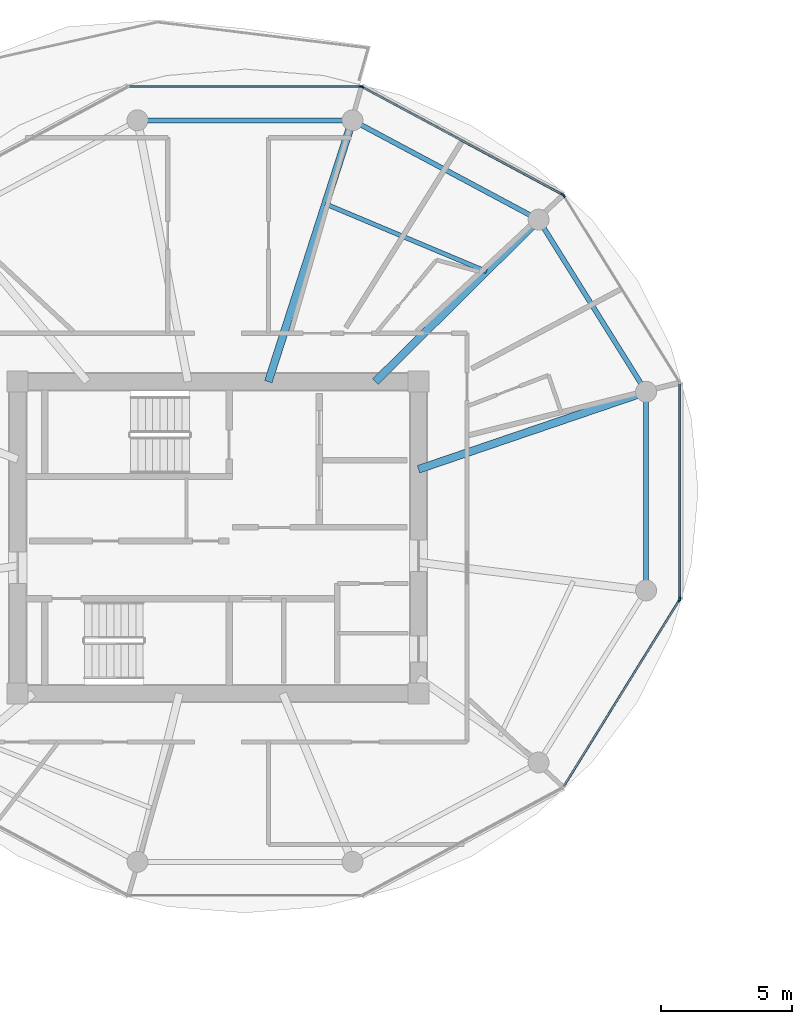
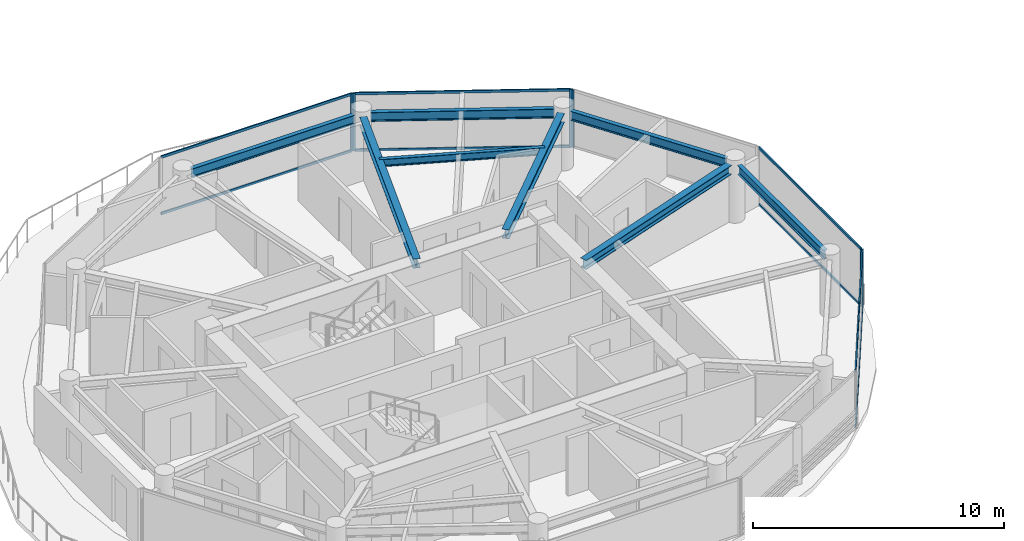
# One storey, part 5 of 22: 14 members, 8 beams, 5 elements without a shape of their own.
"""IFC4 building model written with IfcOpenShell, lengths in metres."""

import ifcopenshell
import ifcopenshell.guid

model = None  # the IFC model being written
_history = None  # IfcOwnerHistory: only IFC2X3 demands one
_inside = {}  # id of a spatial element -> (the spatial element, [elements in it])
_under = {}  # id of a project, library or spatial element -> (it, [spatial elements below it])
_declared = {}  # id of a project -> (the project, [libraries it declares])
_typed = {}  # id of a type object -> (the type object, [elements of that type])
_made_of = {}  # id of a material, layer set ... -> (it, [elements and type objects made of it])


def new_model(schema):
    """Start an empty IFC model of exactly this schema.

    Asked for "IFC4X3", IfcOpenShell would pick the latest addendum, in which some entities
    have other attributes; the version numbers below select the first issue.
    IFC2X3 requires an IfcOwnerHistory on every rooted entity: one is made here for all.
    """
    global model, _history
    if schema == "IFC4X3":
        model = ifcopenshell.file(schema_version=(4, 3, 0, 0))
    else:
        model = ifcopenshell.file(schema=schema)
    _inside.clear()
    _under.clear()
    _declared.clear()
    _typed.clear()
    _made_of.clear()
    _history = None
    if model.schema == "IFC2X3":
        org = make("IfcOrganization", Name="unknown")
        user = make(
            "IfcPersonAndOrganization",
            ThePerson=make("IfcPerson", FamilyName="unknown"),
            TheOrganization=org,
        )
        app = make(
            "IfcApplication",
            ApplicationDeveloper=org,
            Version="unknown",
            ApplicationFullName="unknown",
            ApplicationIdentifier="unknown",
        )
        _history = make(
            "IfcOwnerHistory",
            OwningUser=user,
            OwningApplication=app,
            ChangeAction="ADDED",
            CreationDate=0,
        )
    return model


def make(cls, **values):
    """One entity of the class cls with the attributes given. An attribute that is None is left unset."""
    return model.create_entity(
        cls, **{name: value for name, value in values.items() if value is not None}
    )


def rooted(cls, **values):
    """An entity with a GlobalId (a new one), such as an element, a storey or a relation."""
    return make(cls, GlobalId=ifcopenshell.guid.new(), OwnerHistory=_history, **values)


def si_unit(unit_type, name, prefix=None):
    """IfcSIUnit, for example si_unit("LENGTHUNIT", "METRE", prefix="MILLI")."""
    return make("IfcSIUnit", UnitType=unit_type, Prefix=prefix, Name=name)


def assignment(units):
    """IfcUnitAssignment: the units of a project."""
    return None if units is None else make("IfcUnitAssignment", Units=units)


def point(xyz):
    """IfcCartesianPoint."""
    return None if xyz is None else make("IfcCartesianPoint", Coordinates=xyz)


def direction(xyz):
    """IfcDirection."""
    return None if xyz is None else make("IfcDirection", DirectionRatios=xyz)


def frame(location, z_axis=None, x_axis=None):
    """IfcAxis2Placement3D, a coordinate frame: its origin and axes. An axis left out is left unset."""
    return make(
        "IfcAxis2Placement3D",
        Location=point(location),
        Axis=direction(z_axis),
        RefDirection=direction(x_axis),
    )


def frame_2d(location, x_axis=None):
    """IfcAxis2Placement2D, a coordinate frame in the plane: its origin and x axis."""
    return make(
        "IfcAxis2Placement2D", Location=point(location), RefDirection=direction(x_axis)
    )


def origin():
    """The frame at (0, 0, 0) with its axes left unset."""
    return frame((0.0, 0.0, 0.0))


def origin_2d():
    """The frame at (0, 0) in the plane with its x axis left unset."""
    return frame_2d((0.0, 0.0))


def place(relative_to, where):
    """IfcLocalPlacement: puts the frame where relative to a parent placement (None: the world)."""
    return make(
        "IfcLocalPlacement", PlacementRelTo=relative_to, RelativePlacement=where
    )


def context(
    kind, dimensions, precision=None, world=None, true_north=None, identifier=None
):
    """IfcGeometricRepresentationContext, for example the 3D "Model" context."""
    return make(
        "IfcGeometricRepresentationContext",
        ContextIdentifier=identifier,
        ContextType=kind,
        CoordinateSpaceDimension=dimensions,
        Precision=precision,
        WorldCoordinateSystem=world,
        TrueNorth=true_north,
    )


def subcontext(parent, identifier, kind, view, scale=None):
    """IfcGeometricRepresentationSubContext, for example "Body" below "Model"."""
    return make(
        "IfcGeometricRepresentationSubContext",
        ContextIdentifier=identifier,
        ContextType=kind,
        ParentContext=parent,
        TargetScale=scale,
        TargetView=view,
    )


def project(units=None, contexts=None):
    """IfcProject with its units and contexts."""
    return rooted(
        "IfcProject",
        Name="project",
        RepresentationContexts=contexts,
        UnitsInContext=assignment(units),
    )


def spatial(cls, under=None, at=None, **own):
    """A site, building, storey or space (cls), placed at a placement, below another one or the project."""
    s = rooted(cls, ObjectPlacement=at, **own)
    if under is not None:
        _under.setdefault(under.id(), (under, []))[1].append(s)
    return s


def profile(cls, at=None, kind="AREA", **sizes):
    """A parametric profile (cls). Its sizes go by their IFC names, for example OverallWidth=200.0."""
    return make(cls, ProfileType=kind, Position=at, **sizes)


def rectangle(**sizes):
    """IfcRectangleProfileDef."""
    return profile("IfcRectangleProfileDef", **sizes)


def i_section(**sizes):
    """IfcIShapeProfileDef."""
    return profile("IfcIShapeProfileDef", **sizes)


def extrude(swept, where, along, depth):
    """IfcExtrudedAreaSolid: the profile swept, set in the frame where, extruded along a direction by depth."""
    return make(
        "IfcExtrudedAreaSolid",
        SweptArea=swept,
        Position=where,
        ExtrudedDirection=direction(along),
        Depth=depth,
    )


def shape(context_of_items, identifier, shape_type, items):
    """IfcShapeRepresentation: the items that make up one representation, for example the "Body"."""
    return make(
        "IfcShapeRepresentation",
        ContextOfItems=context_of_items,
        RepresentationIdentifier=identifier,
        RepresentationType=shape_type,
        Items=items,
    )


def source(mapping_origin, context_of_items, identifier, shape_type, items):
    """IfcRepresentationMap: a shape defined once, which mapped items show again and again."""
    return make(
        "IfcRepresentationMap",
        MappingOrigin=mapping_origin,
        MappedRepresentation=shape(context_of_items, identifier, shape_type, items),
    )


def transform(
    local_origin,
    x_axis=None,
    y_axis=None,
    z_axis=None,
    scale=None,
    scale2=None,
    scale3=None,
    uniform=True,
):
    """IfcCartesianTransformationOperator3D, or its non-uniform kind. x_axis, y_axis, z_axis: its Axis1, 2, 3."""
    if uniform:
        return make(
            "IfcCartesianTransformationOperator3D",
            Axis1=direction(x_axis),
            Axis2=direction(y_axis),
            LocalOrigin=point(local_origin),
            Scale=scale,
            Axis3=direction(z_axis),
        )
    return make(
        "IfcCartesianTransformationOperator3DnonUniform",
        Axis1=direction(x_axis),
        Axis2=direction(y_axis),
        LocalOrigin=point(local_origin),
        Scale=scale,
        Axis3=direction(z_axis),
        Scale2=scale2,
        Scale3=scale3,
    )


def mapped(mapping_source, mapping_target):
    """IfcMappedItem: shows the shape of a source again, moved by a transform."""
    return make(
        "IfcMappedItem", MappingSource=mapping_source, MappingTarget=mapping_target
    )


def material(Name=None, Category=None):
    """IfcMaterial."""
    return make("IfcMaterial", Name=Name, Category=Category)


def layer(
    of_material, thickness, ventilated=None, Name=None, Category=None, Priority=None
):
    """IfcMaterialLayer: one layer of a wall or slab, of a material (None: an air gap)."""
    return make(
        "IfcMaterialLayer",
        Material=of_material,
        LayerThickness=thickness,
        IsVentilated=ventilated,
        Name=Name,
        Category=Category,
        Priority=Priority,
    )


def layer_set(layers, Name=None):
    """IfcMaterialLayerSet."""
    return make("IfcMaterialLayerSet", MaterialLayers=layers, LayerSetName=Name)


def material_profile(
    of_material, cross_section, Name=None, Category=None, Priority=None
):
    """IfcMaterialProfile: a cross section and its material."""
    return make(
        "IfcMaterialProfile",
        Name=Name,
        Material=of_material,
        Profile=cross_section,
        Priority=Priority,
        Category=Category,
    )


def profile_set(profiles, Name=None, composite=None):
    """IfcMaterialProfileSet."""
    return make(
        "IfcMaterialProfileSet",
        Name=Name,
        MaterialProfiles=profiles,
        CompositeProfile=composite,
    )


def made_of(thing, what):
    """Note that an element or type object is made of a material, layer set ...; save() writes the relation."""
    if what is not None:
        _made_of.setdefault(what.id(), (what, []))[1].append(thing)
    return thing


def type_object(cls, material=None, **own):
    """A type object (cls), such as IfcWallType, which elements share."""
    return made_of(rooted(cls, **own), material)


def type_shapes(of_type, sources):
    """Give a type object the sources (RepresentationMaps) that its elements show as mapped items."""
    of_type.RepresentationMaps = sources


def element(
    cls,
    number,
    at=None,
    inside=None,
    cuts=None,
    type_object=None,
    material=None,
    context=None,
    identifier="Body",
    shape_type=None,
    held_by="IfcProductDefinitionShape",
    body=None,
    shapes=None,
    **own,
):
    """One element of the class cls, such as IfcWall. Its Tag is "e" and its number.

    at: its placement. inside: the storey or other place that contains it. cuts: it is an
    opening in that element (IfcRelVoidsElement). A single representation is given by context,
    identifier, shape_type and body (its items); several are given by shapes. held_by: the class
    of the entity that holds the representations. save() writes the other relations.
    """
    e = rooted(cls, Tag="e%d" % number, ObjectPlacement=at, **own)
    if body is not None:
        shapes = [shape(context, identifier, shape_type, body)]
    if shapes is not None:
        e.Representation = make(held_by, Representations=shapes)
    if inside is not None:
        _inside.setdefault(inside.id(), (inside, []))[1].append(e)
    if cuts is not None:
        rooted(
            "IfcRelVoidsElement", RelatingBuildingElement=cuts, RelatedOpeningElement=e
        )
    if type_object is not None:
        _typed.setdefault(type_object.id(), (type_object, []))[1].append(e)
    return made_of(e, material)


def aggregate(whole, parts):
    """IfcRelAggregates: a whole, such as a stair, and the parts it consists of."""
    return rooted("IfcRelAggregates", RelatingObject=whole, RelatedObjects=parts)


def save(model, path):
    """Write the relations noted so far, then the file.

    IfcRelAggregates (storeys below a building ...), IfcRelContainedInSpatialStructure (elements
    in a storey), IfcRelDefinesByType, IfcRelAssociatesMaterial and IfcRelDeclares: one each for
    every whole, place, type object, material and project.
    """
    for whole, parts in _under.values():
        aggregate(whole, parts)
    for where, things in _inside.values():
        rooted(
            "IfcRelContainedInSpatialStructure",
            RelatedElements=things,
            RelatingStructure=where,
        )
    for kind, things in _typed.values():
        rooted("IfcRelDefinesByType", RelatedObjects=things, RelatingType=kind)
    for what, things in _made_of.values():
        rooted("IfcRelAssociatesMaterial", RelatedObjects=things, RelatingMaterial=what)
    for by, libraries in _declared.values():
        rooted("IfcRelDeclares", RelatingContext=by, RelatedDefinitions=libraries)
    model.write(path)


model = new_model("IFC4")

# Units and contexts
model_context = context("Model", 3, precision=1e-05, world=origin(), true_north=direction((0.0, 1.0)))
body_context = subcontext(model_context, "Body", "Model", "MODEL_VIEW")
ifc_project = project(units=[si_unit("LENGTHUNIT", "METRE"), si_unit("AREAUNIT", "SQUARE_METRE"), si_unit("VOLUMEUNIT", "CUBIC_METRE"), si_unit("PLANEANGLEUNIT", "RADIAN"), si_unit("MASSUNIT", "GRAM", prefix="KILO")], contexts=[model_context])

# Site, building, storey
site_placement = place(None, origin())
site = spatial("IfcSite", under=ifc_project, at=site_placement, CompositionType="ELEMENT")
building_placement = place(site_placement, origin())
building = spatial("IfcBuilding", under=site, at=building_placement, Name="Norrkilde Senior Care Towers", CompositionType="ELEMENT")
storey_placement = place(building_placement, frame((0.0, 0.0, 152.60009765625)))
storey = spatial("IfcBuildingStorey", under=building, at=storey_placement, Name="L47", CompositionType="ELEMENT", Elevation=152.60009765625)

# Beams
ifc_material_1 = material(Name="Steel S355", Category="steel")
ifc_material_profile_1 = material_profile(ifc_material_1, i_section(OverallWidth=0.18994140625, OverallDepth=0.449951171875, WebThickness=0.009521484375, FlangeThickness=0.0146484375, FilletRadius=0.02099609375, at=origin_2d()), Name="IPE 450")
ifc_profile_set_1 = profile_set([ifc_material_profile_1], Name="Steel S355")
beam_type_1 = type_object("IfcBeamType", Name="Perimeter Ring Spandrel Z3 IPE450", PredefinedType="SPANDREL", material=ifc_profile_set_1)
shared_shape_1 = source(origin(), body_context, "Body", "SweptSolid", [
    extrude(i_section(OverallWidth=0.18994140625, OverallDepth=0.449951171875, WebThickness=0.009521484375, FlangeThickness=0.0146484375, FilletRadius=0.02099609375, at=origin_2d()), origin(), (0.0, 0.0, 1.0), 7.0234375),
])
beam_1_placement = place(storey_placement, frame((-11.855712890625, 5.872314453125, 2.5849609375), z_axis=(-0.529789577822, 0.848129119433, 0.0), x_axis=(-0.848129119433, -0.529789577822, 0.0)))
element("IfcBeam", 1, at=beam_1_placement, inside=storey, type_object=beam_type_1, Name="L47 Drum W Perimeter Spandrel 01", PredefinedType="SPANDREL", context=body_context, shape_type="MappedRepresentation", body=[
    mapped(shared_shape_1, transform((0.0, 0.0, 0.0), x_axis=(1.0, 0.0, 0.0), y_axis=(0.0, 1.0, 0.0), z_axis=(0.0, 0.0, 1.0), scale=1.0)),
])
ifc_material_profile_2 = material_profile(ifc_material_1, i_section(OverallWidth=0.300048828125, OverallDepth=0.449951171875, WebThickness=0.013916015625, FlangeThickness=0.02587890625, FilletRadius=0.027099609375, at=origin_2d()), Name="HEB 450")
ifc_profile_set_2 = profile_set([ifc_material_profile_2], Name="Steel S355")
beam_type_2 = type_object("IfcBeamType", Name="Radial Floor Beam Z3 HEB450", PredefinedType="BEAM", material=ifc_profile_set_2)
shared_shape_2 = source(origin(), body_context, "Body", "SweptSolid", [
    extrude(i_section(OverallWidth=0.300048828125, OverallDepth=0.449951171875, WebThickness=0.013916015625, FlangeThickness=0.02587890625, FilletRadius=0.027099609375, at=origin_2d()), origin(), (0.0, 0.0, 1.0), 8.8154296875),
])
beam_2_placement = place(storey_placement, frame((-20.35009765625, 2.607177734375, 2.5849609375), z_axis=(0.946540556878, 0.322584832539, 0.0), x_axis=(-0.322584832539, 0.946540556878, 0.0)))
element("IfcBeam", 2, at=beam_2_placement, inside=storey, type_object=beam_type_2, Name="L47 Drum W Radial Floor Beam 01", PredefinedType="BEAM", context=body_context, shape_type="MappedRepresentation", body=[
    mapped(shared_shape_2, transform((0.0, 0.0, 0.0), x_axis=(1.0, 0.0, 0.0), y_axis=(0.0, 1.0, 0.0), z_axis=(0.0, 0.0, 1.0), scale=1.0)),
])
shared_shape_3 = source(origin(), body_context, "Body", "SweptSolid", [
    extrude(i_section(OverallWidth=0.18994140625, OverallDepth=0.449951171875, WebThickness=0.009521484375, FlangeThickness=0.0146484375, FilletRadius=0.02099609375, at=origin_2d()), origin(), (0.0, 0.0, 1.0), 7.333740234375),
])
beam_3_placement = place(storey_placement, frame((-16.0849609375, 12.303955078125, 2.5849609375), z_axis=(-0.882247866069, 0.470785198172, 0.0), x_axis=(-0.470785198172, -0.882247866069, 0.0)))
element("IfcBeam", 3, at=beam_3_placement, inside=storey, type_object=beam_type_1, Name="L47 Drum W Perimeter Spandrel 02", PredefinedType="SPANDREL", context=body_context, shape_type="MappedRepresentation", body=[
    mapped(shared_shape_3, transform((0.0, 0.0, 0.0), x_axis=(1.0, 0.0, 0.0), y_axis=(0.0, 1.0, 0.0), z_axis=(0.0, 0.0, 1.0), scale=1.0)),
])
shared_shape_4 = source(origin(), body_context, "Body", "SweptSolid", [
    extrude(i_section(OverallWidth=0.300048828125, OverallDepth=0.449951171875, WebThickness=0.013916015625, FlangeThickness=0.02587890625, FilletRadius=0.027099609375, at=origin_2d()), origin(), (0.0, 0.0, 1.0), 8.421630859375),
])
beam_4_placement = place(storey_placement, frame((-22.001953125, 5.949951171875, 2.5849609375), z_axis=(0.709956495972, 0.704245535184, 0.0), x_axis=(-0.704245535184, 0.709956495972, 0.0)))
element("IfcBeam", 4, at=beam_4_placement, inside=storey, type_object=beam_type_2, Name="L47 Drum W Radial Floor Beam 02", PredefinedType="BEAM", context=body_context, shape_type="MappedRepresentation", body=[
    mapped(shared_shape_4, transform((0.0, 0.0, 0.0), x_axis=(1.0, 0.0, 0.0), y_axis=(0.0, 1.0, 0.0), z_axis=(0.0, 0.0, 1.0), scale=1.0)),
])
shared_shape_5 = source(origin(), body_context, "Body", "SweptSolid", [
    extrude(i_section(OverallWidth=0.18994140625, OverallDepth=0.449951171875, WebThickness=0.009521484375, FlangeThickness=0.0146484375, FilletRadius=0.02099609375, at=origin_2d()), origin(), (0.0, 0.0, 1.0), 7.484619140625),
])
beam_5_placement = place(storey_placement, frame((-23.232666015625, 15.92626953125, 2.5849609375), z_axis=(-1.0, 0.0, 0.0), x_axis=(0.0, -1.0, 0.0)))
element("IfcBeam", 5, at=beam_5_placement, inside=storey, type_object=beam_type_1, Name="L47 Drum W Perimeter Spandrel 03", PredefinedType="SPANDREL", context=body_context, shape_type="MappedRepresentation", body=[
    mapped(shared_shape_5, transform((0.0, 0.0, 0.0), x_axis=(1.0, 0.0, 0.0), y_axis=(0.0, 1.0, 0.0), z_axis=(0.0, 0.0, 1.0), scale=1.0)),
])
shared_shape_6 = source(origin(), body_context, "Body", "SweptSolid", [
    extrude(i_section(OverallWidth=0.300048828125, OverallDepth=0.449951171875, WebThickness=0.013916015625, FlangeThickness=0.02587890625, FilletRadius=0.027099609375, at=origin_2d()), origin(), (0.0, 0.0, 1.0), 10.120361328125),
])
type_shapes(beam_type_2, [shared_shape_2, shared_shape_4, shared_shape_6])
beam_6_placement = place(storey_placement, frame((-26.08447265625, 5.949951171875, 2.5849609375), z_axis=(0.306440973744, 0.951889662519, 0.0), x_axis=(-0.951889662519, 0.306440973744, 0.0)))
element("IfcBeam", 6, at=beam_6_placement, inside=storey, type_object=beam_type_2, Name="L47 Drum W Radial Floor Beam 03", PredefinedType="BEAM", context=body_context, shape_type="MappedRepresentation", body=[
    mapped(shared_shape_6, transform((0.0, 0.0, 0.0), x_axis=(1.0, 0.0, 0.0), y_axis=(0.0, 1.0, 0.0), z_axis=(0.0, 0.0, 1.0), scale=1.0)),
])
shared_shape_7 = source(origin(), body_context, "Body", "SweptSolid", [
    extrude(i_section(OverallWidth=0.18994140625, OverallDepth=0.449951171875, WebThickness=0.009521484375, FlangeThickness=0.0146484375, FilletRadius=0.02099609375, at=origin_2d()), origin(), (0.0, 0.0, 1.0), 6.86328125),
])
type_shapes(beam_type_1, [shared_shape_1, shared_shape_3, shared_shape_5, shared_shape_7])
beam_7_placement = place(storey_placement, frame((-11.6650390625, -1.65625, 2.5849609375), z_axis=(0.0, 1.0, 0.0), x_axis=(-1.0, 0.0, 0.0)))
element("IfcBeam", 7, at=beam_7_placement, inside=storey, type_object=beam_type_1, Name="L47 Drum W Perimeter Spandrel 12", PredefinedType="SPANDREL", context=body_context, shape_type="MappedRepresentation", body=[
    mapped(shared_shape_7, transform((0.0, 0.0, 0.0), x_axis=(1.0, 0.0, 0.0), y_axis=(0.0, 1.0, 0.0), z_axis=(0.0, 0.0, 1.0), scale=1.0)),
])
ifc_material_profile_3 = material_profile(ifc_material_1, i_section(OverallWidth=0.169921875, OverallDepth=0.360107421875, WebThickness=0.008056640625, FlangeThickness=0.0126953125, FilletRadius=0.01806640625, at=origin_2d()), Name="IPE 360")
ifc_profile_set_3 = profile_set([ifc_material_profile_3], Name="Steel S355")
beam_type_3 = type_object("IfcBeamType", Name="Secondary Floor Joist IPE360", PredefinedType="JOIST", material=ifc_profile_set_3)
shared_shape_8 = source(origin(), body_context, "Body", "SweptSolid", [
    extrude(i_section(OverallWidth=0.169921875, OverallDepth=0.360107421875, WebThickness=0.008056640625, FlangeThickness=0.0126953125, FilletRadius=0.01806640625, at=origin_2d()), origin(), (0.0, 0.0, 1.0), 6.657470703125),
])
type_shapes(beam_type_3, [shared_shape_8])
beam_8_placement = place(storey_placement, frame((-17.762451171875, 10.155517578125, 2.6298828125), z_axis=(-0.921958799252, 0.387287971, 0.0), x_axis=(-0.387287971, -0.921958799252, 0.0)))
element("IfcBeam", 8, at=beam_8_placement, inside=storey, type_object=beam_type_3, Name="L47 Drum W Secondary Floor Joist 1", PredefinedType="JOIST", context=body_context, shape_type="MappedRepresentation", body=[
    mapped(shared_shape_8, transform((0.0, 0.0, 0.0), x_axis=(1.0, 0.0, 0.0), y_axis=(0.0, 1.0, 0.0), z_axis=(0.0, 0.0, 1.0), scale=1.0)),
])

# Curtain wall, members
ifc_material_2 = material(Name="Triple Low-E Insulated Glazing", Category="glass")
ifc_layer = layer(ifc_material_2, 0.18994140625)
ifc_layer_set = layer_set([ifc_layer], Name="Triple Low-E Insulated Glazing")
curtain_wall_type = type_object("IfcCurtainWallType", Name="CW4 Zone 3 Senior Residence Curtain Wall", PredefinedType="NOTDEFINED", material=ifc_layer_set)
curtain_wall_1_placement = place(storey_placement, origin())
curtain_wall_1 = element("IfcCurtainWall", 9, at=curtain_wall_1_placement, inside=storey, type_object=curtain_wall_type, Name="L47 Drum W Curtain Wall 10", PredefinedType="NOTDEFINED")
ifc_material_3 = material(Name="Anodised Aluminium", Category="aluminium")
ifc_material_profile_4 = material_profile(ifc_material_3, rectangle(XDim=0.06005859375, YDim=0.1201171875, at=origin_2d()), Name="ALU TRAN 60x120")
ifc_profile_set_4 = profile_set([ifc_material_profile_4], Name="Anodised Aluminium")
member_type_1 = type_object("IfcMemberType", Name="Curtain Wall Transom Typical 60x120", PredefinedType="USERDEFINED", material=ifc_profile_set_4)
shared_shape_9 = source(origin(), body_context, "Body", "SweptSolid", [
    extrude(rectangle(XDim=0.06005859375, YDim=0.1201171875, at=origin_2d()), origin(), (0.0, 0.0, 1.0), 8.301513671875),
])
member_1_placement = place(storey_placement, frame((-10.414794921875, -2.415771484375, 0.02978515625), z_axis=(-0.527368718394, -0.849636531029, 0.0), x_axis=(0.849636531029, -0.527368718394, 0.0)))
member_1 = element("IfcMember", 10, at=member_1_placement, type_object=member_type_1, Name="CW-4 transom 1.1", ObjectType="TRANSOM", PredefinedType="USERDEFINED", context=body_context, shape_type="MappedRepresentation", body=[
    mapped(shared_shape_9, transform((0.0, 0.0, 0.0), x_axis=(1.0, 0.0, 0.0), y_axis=(0.0, 1.0, 0.0), z_axis=(0.0, 0.0, 1.0), scale=1.0)),
])
member_2_placement = place(storey_placement, frame((-10.414794921875, -2.415771484375, 2.77978515625), z_axis=(-0.527368718394, -0.849636531029, 0.0), x_axis=(0.849636531029, -0.527368718394, 0.0)))
member_2 = element("IfcMember", 11, at=member_2_placement, type_object=member_type_1, Name="CW-4 transom 1.2", ObjectType="TRANSOM", PredefinedType="USERDEFINED", context=body_context, shape_type="MappedRepresentation", body=[
    mapped(shared_shape_9, transform((0.0, 0.0, 0.0), x_axis=(1.0, 0.0, 0.0), y_axis=(0.0, 1.0, 0.0), z_axis=(0.0, 0.0, 1.0), scale=1.0)),
])

curtain_wall_2_placement = place(storey_placement, origin())
curtain_wall_2 = element("IfcCurtainWall", 12, at=curtain_wall_2_placement, inside=storey, type_object=curtain_wall_type, Name="L47 Drum W Curtain Wall 01", PredefinedType="NOTDEFINED")
shared_shape_10 = source(origin(), body_context, "Body", "SweptSolid", [
    extrude(rectangle(XDim=0.06005859375, YDim=0.1201171875, at=origin_2d()), origin(), (0.0, 0.0, 1.0), 8.61181640625),
])
member_3_placement = place(storey_placement, frame((-22.47119140625, 17.18017578125, 0.02978515625), z_axis=(0.880993991641, -0.473127452906, 0.0), x_axis=(0.473127452906, 0.880993991641, 0.0)))
member_3 = element("IfcMember", 13, at=member_3_placement, type_object=member_type_1, Name="CW-4 transom 1.1", ObjectType="TRANSOM", PredefinedType="USERDEFINED", context=body_context, shape_type="MappedRepresentation", body=[
    mapped(shared_shape_10, transform((0.0, 0.0, 0.0), x_axis=(1.0, 0.0, 0.0), y_axis=(0.0, 1.0, 0.0), z_axis=(0.0, 0.0, 1.0), scale=1.0)),
])
member_4_placement = place(storey_placement, frame((-22.47119140625, 17.18017578125, 2.77978515625), z_axis=(0.880993991641, -0.473127452906, 0.0), x_axis=(0.473127452906, 0.880993991641, 0.0)))
member_4 = element("IfcMember", 14, at=member_4_placement, type_object=member_type_1, Name="CW-4 transom 1.2", ObjectType="TRANSOM", PredefinedType="USERDEFINED", context=body_context, shape_type="MappedRepresentation", body=[
    mapped(shared_shape_10, transform((0.0, 0.0, 0.0), x_axis=(1.0, 0.0, 0.0), y_axis=(0.0, 1.0, 0.0), z_axis=(0.0, 0.0, 1.0), scale=1.0)),
])

curtain_wall_3_placement = place(storey_placement, origin())
curtain_wall_3 = element("IfcCurtainWall", 15, at=curtain_wall_3_placement, inside=storey, type_object=curtain_wall_type, Name="L47 Drum W Curtain Wall 02", PredefinedType="NOTDEFINED")
shared_shape_11 = source(origin(), body_context, "Body", "SweptSolid", [
    extrude(rectangle(XDim=0.06005859375, YDim=0.1201171875, at=origin_2d()), origin(), (0.0, 0.0, 1.0), 8.762939453125),
])
member_5_placement = place(storey_placement, frame((-31.3564453125, 17.2109375, 0.02978515625), z_axis=(1.0, 0.0, 0.0), x_axis=(0.0, 1.0, 0.0)))
member_5 = element("IfcMember", 16, at=member_5_placement, type_object=member_type_1, Name="CW-4 transom 1.1", ObjectType="TRANSOM", PredefinedType="USERDEFINED", context=body_context, shape_type="MappedRepresentation", body=[
    mapped(shared_shape_11, transform((0.0, 0.0, 0.0), x_axis=(1.0, 0.0, 0.0), y_axis=(0.0, 1.0, 0.0), z_axis=(0.0, 0.0, 1.0), scale=1.0)),
])
member_6_placement = place(storey_placement, frame((-31.3564453125, 17.2109375, 2.77978515625), z_axis=(1.0, 0.0, 0.0), x_axis=(0.0, 1.0, 0.0)))
member_6 = element("IfcMember", 17, at=member_6_placement, type_object=member_type_1, Name="CW-4 transom 1.2", ObjectType="TRANSOM", PredefinedType="USERDEFINED", context=body_context, shape_type="MappedRepresentation", body=[
    mapped(shared_shape_11, transform((0.0, 0.0, 0.0), x_axis=(1.0, 0.0, 0.0), y_axis=(0.0, 1.0, 0.0), z_axis=(0.0, 0.0, 1.0), scale=1.0)),
])

curtain_wall_4_placement = place(storey_placement, origin())
curtain_wall_4 = element("IfcCurtainWall", 18, at=curtain_wall_4_placement, inside=storey, type_object=curtain_wall_type, Name="L47 Drum W Curtain Wall 11", PredefinedType="NOTDEFINED")
shared_shape_12 = source(origin(), body_context, "Body", "SweptSolid", [
    extrude(rectangle(XDim=0.06005859375, YDim=0.1201171875, at=origin_2d()), origin(), (0.0, 0.0, 1.0), 8.141845703125),
])
type_shapes(member_type_1, [shared_shape_9, shared_shape_10, shared_shape_11, shared_shape_12])
member_7_placement = place(storey_placement, frame((-10.38037109375, 5.84619140625, 0.02978515625), z_axis=(0.0, -1.0, 0.0), x_axis=(1.0, 0.0, 0.0)))
member_7 = element("IfcMember", 19, at=member_7_placement, type_object=member_type_1, Name="CW-4 transom 1.1", ObjectType="TRANSOM", PredefinedType="USERDEFINED", context=body_context, shape_type="MappedRepresentation", body=[
    mapped(shared_shape_12, transform((0.0, 0.0, 0.0), x_axis=(1.0, 0.0, 0.0), y_axis=(0.0, 1.0, 0.0), z_axis=(0.0, 0.0, 1.0), scale=1.0)),
])
member_8_placement = place(storey_placement, frame((-10.38037109375, 5.84619140625, 2.77978515625), z_axis=(0.0, -1.0, 0.0), x_axis=(1.0, 0.0, 0.0)))
member_8 = element("IfcMember", 20, at=member_8_placement, type_object=member_type_1, Name="CW-4 transom 1.2", ObjectType="TRANSOM", PredefinedType="USERDEFINED", context=body_context, shape_type="MappedRepresentation", body=[
    mapped(shared_shape_12, transform((0.0, 0.0, 0.0), x_axis=(1.0, 0.0, 0.0), y_axis=(0.0, 1.0, 0.0), z_axis=(0.0, 0.0, 1.0), scale=1.0)),
])

# Curtain wall, member
curtain_wall_5_placement = place(storey_placement, origin())
curtain_wall_5 = element("IfcCurtainWall", 21, at=curtain_wall_5_placement, inside=storey, type_object=curtain_wall_type, Name="L47 Drum W Curtain Wall 00", PredefinedType="NOTDEFINED")
ifc_material_profile_5 = material_profile(ifc_material_3, rectangle(XDim=0.06494140625, YDim=0.14990234375, at=origin_2d()), Name="ALU MULL 65x150")
ifc_profile_set_5 = profile_set([ifc_material_profile_5], Name="Anodised Aluminium")
member_type_2 = type_object("IfcMemberType", Name="Curtain Wall Mullion Z3-Z4 65x150", PredefinedType="MULLION", material=ifc_profile_set_5)
shared_shape_13 = source(origin(), body_context, "Body", "SweptSolid", [
    extrude(rectangle(XDim=0.06494140625, YDim=0.14990234375, at=origin_2d()), origin(), (0.0, 0.0, 1.0), 2.809814453125),
])
type_shapes(member_type_2, [shared_shape_13])
member_9_placement = place(storey_placement, frame((-14.809814453125, 13.04736328125, 0.0), z_axis=(0.0, 0.0, 1.0), x_axis=(0.84963405474, 0.52737270789, 0.0)))
member_9 = element("IfcMember", 22, at=member_9_placement, type_object=member_type_2, Name="CW-4 mullion 1", PredefinedType="MULLION", context=body_context, shape_type="MappedRepresentation", body=[
    mapped(shared_shape_13, transform((0.0, 0.0, 0.0), x_axis=(1.0, 0.0, 0.0), y_axis=(0.0, 1.0, 0.0), z_axis=(0.0, 0.0, 1.0), scale=1.0)),
])
aggregate(curtain_wall_5, [member_9])

# Member
member_10_placement = place(storey_placement, frame((-22.499755859375, 17.195556640625, 0.0), z_axis=(0.0, 0.0, 1.0), x_axis=(0.47311715104, 0.880999524059, 0.0)))
member_10 = element("IfcMember", 23, at=member_10_placement, type_object=member_type_2, Name="CW-4 mullion 1", PredefinedType="MULLION", context=body_context, shape_type="MappedRepresentation", body=[
    mapped(shared_shape_13, transform((0.0, 0.0, 0.0), x_axis=(1.0, 0.0, 0.0), y_axis=(0.0, 1.0, 0.0), z_axis=(0.0, 0.0, 1.0), scale=1.0)),
])

member_11_placement = place(storey_placement, frame((-14.85546875, 13.09033203125, 0.0), z_axis=(0.0, 0.0, 1.0), x_axis=(0.47311715104, 0.880999524059, 0.0)))
member_11 = element("IfcMember", 24, at=member_11_placement, type_object=member_type_2, Name="CW-4 mullion 2", PredefinedType="MULLION", context=body_context, shape_type="MappedRepresentation", body=[
    mapped(shared_shape_13, transform((0.0, 0.0, 0.0), x_axis=(1.0, 0.0, 0.0), y_axis=(0.0, 1.0, 0.0), z_axis=(0.0, 0.0, 1.0), scale=1.0)),
])

aggregate(curtain_wall_2, [member_10, member_11, member_3, member_4])

member_12_placement = place(storey_placement, frame((-22.56103515625, 17.2109375, 0.0), z_axis=(0.0, 0.0, 1.0), x_axis=(0.0, 1.0, 0.0)))
member_12 = element("IfcMember", 25, at=member_12_placement, type_object=member_type_2, Name="CW-4 mullion 2", PredefinedType="MULLION", context=body_context, shape_type="MappedRepresentation", body=[
    mapped(shared_shape_13, transform((0.0, 0.0, 0.0), x_axis=(1.0, 0.0, 0.0), y_axis=(0.0, 1.0, 0.0), z_axis=(0.0, 0.0, 1.0), scale=1.0)),
])

aggregate(curtain_wall_3, [member_12, member_5, member_6])

member_13_placement = place(storey_placement, frame((-10.3974609375, -2.38818359375, 0.0), z_axis=(0.0, 0.0, 1.0), x_axis=(0.84963405474, -0.52737270789, 0.0)))
member_13 = element("IfcMember", 26, at=member_13_placement, type_object=member_type_2, Name="CW-4 mullion 1", PredefinedType="MULLION", context=body_context, shape_type="MappedRepresentation", body=[
    mapped(shared_shape_13, transform((0.0, 0.0, 0.0), x_axis=(1.0, 0.0, 0.0), y_axis=(0.0, 1.0, 0.0), z_axis=(0.0, 0.0, 1.0), scale=1.0)),
])

aggregate(curtain_wall_1, [member_13, member_1, member_2])

member_14_placement = place(storey_placement, frame((-10.38037109375, -2.328125, 0.0), z_axis=(0.0, 0.0, 1.0), x_axis=(1.0, 0.0, 0.0)))
member_14 = element("IfcMember", 27, at=member_14_placement, type_object=member_type_2, Name="CW-4 mullion 2", PredefinedType="MULLION", context=body_context, shape_type="MappedRepresentation", body=[
    mapped(shared_shape_13, transform((0.0, 0.0, 0.0), x_axis=(1.0, 0.0, 0.0), y_axis=(0.0, 1.0, 0.0), z_axis=(0.0, 0.0, 1.0), scale=1.0)),
])

aggregate(curtain_wall_4, [member_14, member_7, member_8])

save(model, "model.ifc")
